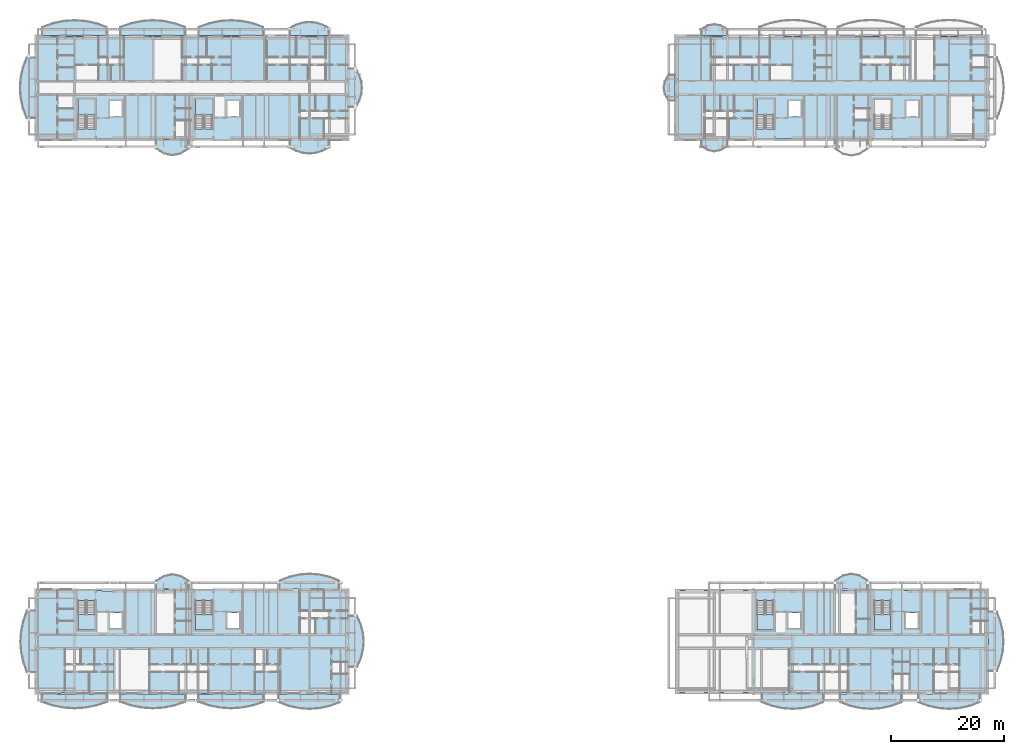
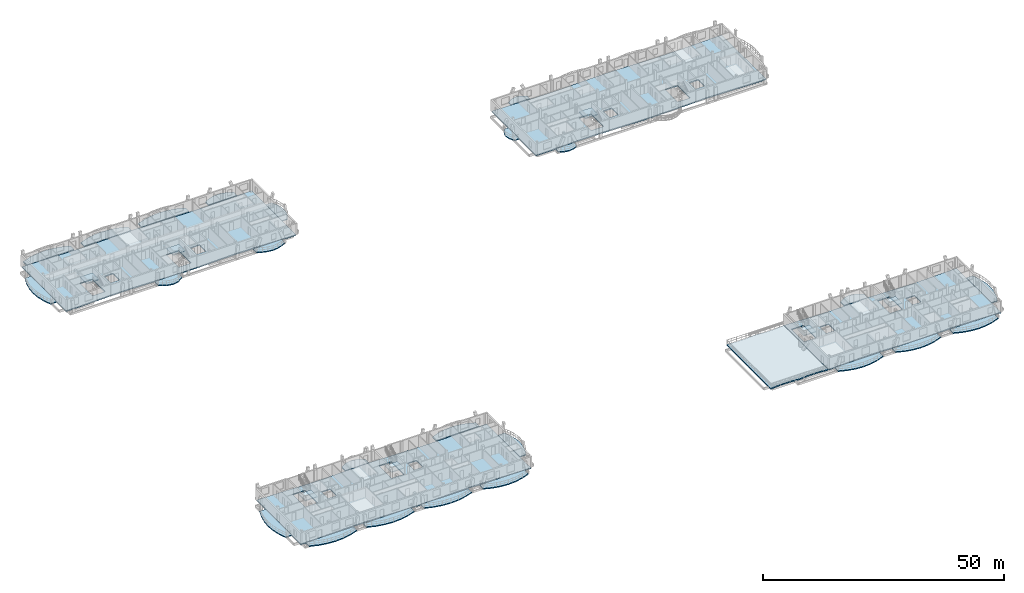
# One storey, part 8 of 48: 36 slabs, 7 elements without a shape of their own.
"""IFC4 building model written with IfcOpenShell, lengths in metres."""

from ifc_helpers import new_model, si_unit, direction, frame, origin, place, context, subcontext, project, spatial, polyline, outline, extrude, material, layer, layer_set, type_object, element, aggregate, save


model = new_model("IFC4")

# Units and contexts
model_context = context("Model", 3, precision=1e-05, world=origin(), true_north=direction((0.0, 1.0)))
body_context = subcontext(model_context, "Body", "Model", "MODEL_VIEW")
ifc_project = project(units=[si_unit("LENGTHUNIT", "METRE"), si_unit("AREAUNIT", "SQUARE_METRE"), si_unit("VOLUMEUNIT", "CUBIC_METRE"), si_unit("PLANEANGLEUNIT", "RADIAN"), si_unit("MASSUNIT", "GRAM", prefix="KILO")], contexts=[model_context])

# Site, building, storey
site_placement = place(None, origin())
site = spatial("IfcSite", under=ifc_project, at=site_placement, CompositionType="ELEMENT")
building_placement = place(site_placement, origin())
building = spatial("IfcBuilding", under=site, at=building_placement, Name="Zavelmont Quarter", CompositionType="ELEMENT")
storey_placement = place(building_placement, frame((0.0, 0.0, 17.60009765625)))
storey = spatial("IfcBuildingStorey", under=building, at=storey_placement, Name="L05", CompositionType="ELEMENT", Elevation=17.60009765625)

# Slabs
ifc_material_1 = material(Name="White architectural precast concrete C40/50", Category="concrete")
ifc_layer_1 = layer(ifc_material_1, 0.235107421875)
ifc_layer_set_1 = layer_set([ifc_layer_1], Name="White architectural precast concrete C40/50")
slab_type_1 = type_object("IfcSlabType", Name="SL-BL180", PredefinedType="FLOOR", material=ifc_layer_set_1)
slab_1_placement = place(storey_placement, frame((0.0, 0.0, -0.235107421875)))
element("IfcSlab", 1, at=slab_1_placement, inside=storey, type_object=slab_type_1, Name="L05 Block A street vase 3 balcony SL-BL180", PredefinedType="FLOOR", context=body_context, shape_type="SweptSolid", body=[
    extrude(outline(polyline([(28.77294921875, -0.02001953125), (28.77294921875, -1.4599609375), (30.681884765625, -2.09716796875), (32.591064453125, -2.4794921875), (34.5, -2.60693359375), (36.408935546875, -2.4794921875), (38.318115234375, -2.09716796875), (40.22705078125, -1.4599609375), (40.22705078125, -0.02001953125), (28.77294921875, -0.02001953125)])), origin(), (0.0, 0.0, 1.0), 0.235107421875),
])
slab_2_placement = place(storey_placement, frame((0.0, 0.0, -0.235107421875)))
element("IfcSlab", 2, at=slab_2_placement, inside=storey, type_object=slab_type_1, Name="L05 Block A courtyard return vase balcony SL-BL180", PredefinedType="FLOOR", context=body_context, shape_type="SweptSolid", body=[
    extrude(outline(polyline([(55.219970703125, 4.689453125), (56.7158203125, 4.689453125), (57.377685546875, 6.19287109375), (57.774658203125, 7.696533203125), (57.906982421875, 9.199951171875), (57.774658203125, 10.70361328125), (57.377685546875, 12.20703125), (56.7158203125, 13.710693359375), (55.219970703125, 13.710693359375), (55.219970703125, 4.689453125)])), origin(), (0.0, 0.0, 1.0), 0.235107421875),
])
slab_3_placement = place(storey_placement, frame((0.0, 0.0, -0.235107421875)))
element("IfcSlab", 3, at=slab_3_placement, inside=storey, type_object=slab_type_1, Name="L05 Block A courtyard outer vase balcony SL-BL180", PredefinedType="FLOOR", context=body_context, shape_type="SweptSolid", body=[
    extrude(outline(polyline([(53.521728515625, 18.419921875), (53.521728515625, 19.916015625), (51.781005859375, 20.57763671875), (50.04052734375, 20.974609375), (48.300048828125, 21.10693359375), (46.559326171875, 20.974609375), (44.81884765625, 20.57763671875), (43.078369140625, 19.916015625), (43.078369140625, 18.419921875), (53.521728515625, 18.419921875)])), origin(), (0.0, 0.0, 1.0), 0.235107421875),
])
slab_4_placement = place(storey_placement, frame((0.0, 0.0, -0.235107421875)))
element("IfcSlab", 4, at=slab_4_placement, inside=storey, type_object=slab_type_1, Name="L05 Block B street vase 3 balcony SL-BL180", PredefinedType="FLOOR", context=body_context, shape_type="SweptSolid", body=[
    extrude(outline(polyline([(40.190673828125, 116.02001953125), (40.190673828125, 117.507080078125), (38.293701171875, 118.164794921875), (36.39697265625, 118.559326171875), (34.5, 118.69091796875), (32.60302734375, 118.559326171875), (30.706298828125, 118.164794921875), (28.809326171875, 117.507080078125), (28.809326171875, 116.02001953125), (40.190673828125, 116.02001953125)])), origin(), (0.0, 0.0, 1.0), 0.235107421875),
])
slab_5_placement = place(storey_placement, frame((0.0, 0.0, -0.235107421875)))
element("IfcSlab", 5, at=slab_5_placement, inside=storey, type_object=slab_type_1, Name="L05 Block B courtyard return vase balcony SL-BL180", PredefinedType="FLOOR", context=body_context, shape_type="SweptSolid", body=[
    extrude(outline(polyline([(55.219970703125, 103.4130859375), (56.538330078125, 103.4130859375), (57.12255859375, 104.5419921875), (57.47314453125, 105.6708984375), (57.590087890625, 106.800048828125), (57.47314453125, 107.928955078125), (57.12255859375, 109.05810546875), (56.538330078125, 110.18701171875), (55.219970703125, 110.18701171875), (55.219970703125, 103.4130859375)])), origin(), (0.0, 0.0, 1.0), 0.235107421875),
])
slab_6_placement = place(storey_placement, frame((0.0, 0.0, -0.235107421875)))
element("IfcSlab", 6, at=slab_6_placement, inside=storey, type_object=slab_type_1, Name="L05 Block B courtyard outer vase balcony SL-BL180", PredefinedType="FLOOR", context=body_context, shape_type="SweptSolid", body=[
    extrude(outline(polyline([(44.8662109375, 97.580078125), (44.8662109375, 96.26171875), (46.010986328125, 95.677490234375), (47.155517578125, 95.326904296875), (48.300048828125, 95.2099609375), (49.444580078125, 95.326904296875), (50.589111328125, 95.677490234375), (51.733642578125, 96.26171875), (51.733642578125, 97.580078125), (44.8662109375, 97.580078125)])), origin(), (0.0, 0.0, 1.0), 0.235107421875),
])
slab_7_placement = place(storey_placement, frame((0.0, 0.0, -0.235107421875)))
element("IfcSlab", 7, at=slab_7_placement, inside=storey, type_object=slab_type_1, Name="L05 Block C courtyard return vase balcony SL-BL180", PredefinedType="FLOOR", context=body_context, shape_type="SweptSolid", body=[
    extrude(outline(polyline([(112.780029296875, 109.05859375), (111.679443359375, 109.05859375), (111.01904296875, 107.92919921875), (110.799072265625, 106.800048828125), (111.01904296875, 105.670654296875), (111.679443359375, 104.54150390625), (112.780029296875, 104.54150390625), (112.780029296875, 109.05859375)])), origin(), (0.0, 0.0, 1.0), 0.235107421875),
])
slab_8_placement = place(storey_placement, frame((0.0, 0.0, -0.235107421875)))
element("IfcSlab", 8, at=slab_8_placement, inside=storey, type_object=slab_type_1, Name="L05 Block C courtyard outer vase balcony SL-BL180", PredefinedType="FLOOR", context=body_context, shape_type="SweptSolid", body=[
    extrude(outline(polyline([(117.44140625, 97.580078125), (117.44140625, 96.4794921875), (118.57080078125, 95.819091796875), (119.699951171875, 95.59912109375), (120.829345703125, 95.819091796875), (121.95849609375, 96.4794921875), (121.95849609375, 97.580078125), (117.44140625, 97.580078125)])), origin(), (0.0, 0.0, 1.0), 0.235107421875),
])
slab_9_placement = place(storey_placement, frame((0.0, 0.0, -0.235107421875)))
element("IfcSlab", 9, at=slab_9_placement, inside=storey, type_object=slab_type_1, Name="L05 Block D street vase 3 balcony SL-BL180", PredefinedType="FLOOR", context=body_context, shape_type="SweptSolid", body=[
    extrude(outline(polyline([(141.89306640625, -0.02001953125), (141.89306640625, -1.515869140625), (143.6953125, -2.177490234375), (145.497802734375, -2.57470703125), (147.300048828125, -2.70703125), (149.102294921875, -2.57470703125), (150.90478515625, -2.177490234375), (152.70703125, -1.515869140625), (152.70703125, -0.02001953125), (141.89306640625, -0.02001953125)])), origin(), (0.0, 0.0, 1.0), 0.235107421875),
])
ifc_layer_2 = layer(ifc_material_1, 0.2451171875)
ifc_layer_set_2 = layer_set([ifc_layer_2], Name="White architectural precast concrete C40/50")
slab_type_2 = type_object("IfcSlabType", Name="SL-BL200", PredefinedType="FLOOR", material=ifc_layer_set_2)
slab_10_placement = place(storey_placement, frame((0.0, 0.0, -0.2451171875)))
element("IfcSlab", 10, at=slab_10_placement, inside=storey, type_object=slab_type_2, Name="L05 Block A street vase 2 balcony SL-BL200", PredefinedType="FLOOR", context=body_context, shape_type="SweptSolid", body=[
    extrude(outline(polyline([(14.972900390625, -0.02001953125), (14.972900390625, -1.4599609375), (16.882080078125, -2.09716796875), (18.791015625, -2.4794921875), (20.699951171875, -2.60693359375), (22.60888671875, -2.4794921875), (24.51806640625, -2.09716796875), (26.427001953125, -1.4599609375), (26.427001953125, -0.02001953125), (14.972900390625, -0.02001953125)])), origin(), (0.0, 0.0, 1.0), 0.2451171875),
])
slab_11_placement = place(storey_placement, frame((0.0, 0.0, -0.2451171875)))
element("IfcSlab", 11, at=slab_11_placement, inside=storey, type_object=slab_type_2, Name="L05 Block A boulevard vase balcony SL-BL200", PredefinedType="FLOOR", context=body_context, shape_type="SweptSolid", body=[
    extrude(outline(polyline([(-0.02001953125, 14.607177734375), (-1.4599609375, 14.607177734375), (-2.09716796875, 12.8046875), (-2.4794921875, 11.00244140625), (-2.60693359375, 9.199951171875), (-2.4794921875, 7.397705078125), (-2.09716796875, 5.59521484375), (-1.4599609375, 3.79296875), (-0.02001953125, 3.79296875), (-0.02001953125, 14.607177734375)])), origin(), (0.0, 0.0, 1.0), 0.2451171875),
])
slab_12_placement = place(storey_placement, frame((0.0, 0.0, -0.2451171875)))
element("IfcSlab", 12, at=slab_12_placement, inside=storey, type_object=slab_type_2, Name="L05 Block B street vase 2 balcony SL-BL200", PredefinedType="FLOOR", context=body_context, shape_type="SweptSolid", body=[
    extrude(outline(polyline([(26.390625, 116.02001953125), (26.390625, 117.507080078125), (24.49365234375, 118.164794921875), (22.596923828125, 118.559326171875), (20.699951171875, 118.69091796875), (18.802978515625, 118.559326171875), (16.90625, 118.164794921875), (15.009521484375, 117.507080078125), (15.009521484375, 116.02001953125), (26.390625, 116.02001953125)])), origin(), (0.0, 0.0, 1.0), 0.2451171875),
])
slab_13_placement = place(storey_placement, frame((0.0, 0.0, -0.2451171875)))
element("IfcSlab", 13, at=slab_13_placement, inside=storey, type_object=slab_type_2, Name="L05 Block B boulevard vase balcony SL-BL200", PredefinedType="FLOOR", context=body_context, shape_type="SweptSolid", body=[
    extrude(outline(polyline([(-0.02001953125, 112.12841796875), (-1.507080078125, 112.12841796875), (-2.164794921875, 110.352294921875), (-2.559326171875, 108.576171875), (-2.69091796875, 106.800048828125), (-2.559326171875, 105.02392578125), (-2.164794921875, 103.247802734375), (-1.507080078125, 101.4716796875), (-0.02001953125, 101.4716796875), (-0.02001953125, 112.12841796875)])), origin(), (0.0, 0.0, 1.0), 0.2451171875),
])
slab_14_placement = place(storey_placement, frame((0.0, 0.0, -0.2451171875)))
element("IfcSlab", 14, at=slab_14_placement, inside=storey, type_object=slab_type_2, Name="L05 Block D street vase 2 balcony SL-BL200", PredefinedType="FLOOR", context=body_context, shape_type="SweptSolid", body=[
    extrude(outline(polyline([(128.093017578125, -0.02001953125), (128.093017578125, -1.515869140625), (129.895263671875, -2.177490234375), (131.69775390625, -2.57470703125), (133.5, -2.70703125), (135.30224609375, -2.57470703125), (137.104736328125, -2.177490234375), (138.906982421875, -1.515869140625), (138.906982421875, -0.02001953125), (128.093017578125, -0.02001953125)])), origin(), (0.0, 0.0, 1.0), 0.2451171875),
])
slab_15_placement = place(storey_placement, frame((0.0, 0.0, -0.2451171875)))
element("IfcSlab", 15, at=slab_15_placement, inside=storey, type_object=slab_type_2, Name="L05 Block D boulevard vase balcony SL-BL200", PredefinedType="FLOOR", context=body_context, shape_type="SweptSolid", body=[
    extrude(outline(polyline([(168.02001953125, 3.978271484375), (169.515869140625, 3.978271484375), (170.177490234375, 5.718994140625), (170.57470703125, 7.45947265625), (170.70703125, 9.199951171875), (170.57470703125, 10.940673828125), (170.177490234375, 12.68115234375), (169.515869140625, 14.421630859375), (168.02001953125, 14.421630859375), (168.02001953125, 3.978271484375)])), origin(), (0.0, 0.0, 1.0), 0.2451171875),
])
ifc_layer_3 = layer(ifc_material_1, 0.2548828125)
ifc_layer_set_3 = layer_set([ifc_layer_3], Name="White architectural precast concrete C40/50")
slab_type_3 = type_object("IfcSlabType", Name="SL-BL220", PredefinedType="FLOOR", material=ifc_layer_set_3)
slab_16_placement = place(storey_placement, frame((0.0, 0.0, -0.255126953125)))
element("IfcSlab", 16, at=slab_16_placement, inside=storey, type_object=slab_type_3, Name="L05 Block A street vase 1 balcony SL-BL220", PredefinedType="FLOOR", context=body_context, shape_type="SweptSolid", body=[
    extrude(outline(polyline([(1.173095703125, -0.02001953125), (1.173095703125, -1.4599609375), (3.08203125, -2.09716796875), (4.990966796875, -2.4794921875), (6.89990234375, -2.60693359375), (8.80908203125, -2.4794921875), (10.718017578125, -2.09716796875), (12.626953125, -1.4599609375), (12.626953125, -0.02001953125), (1.173095703125, -0.02001953125)])), origin(), (0.0, 0.0, 1.0), 0.255126953125),
])
slab_17_placement = place(storey_placement, frame((0.0, 0.0, -0.255126953125)))
element("IfcSlab", 17, at=slab_17_placement, inside=storey, type_object=slab_type_3, Name="L05 Block A street vase 4 balcony SL-BL220", PredefinedType="FLOOR", context=body_context, shape_type="SweptSolid", body=[
    extrude(outline(polyline([(42.89306640625, -0.02001953125), (42.89306640625, -1.515869140625), (44.6953125, -2.177490234375), (46.497802734375, -2.57470703125), (48.300048828125, -2.70703125), (50.102294921875, -2.57470703125), (51.90478515625, -2.177490234375), (53.70703125, -1.515869140625), (53.70703125, -0.02001953125), (42.89306640625, -0.02001953125)])), origin(), (0.0, 0.0, 1.0), 0.255126953125),
])
slab_18_placement = place(storey_placement, frame((0.0, 0.0, -0.255126953125)))
element("IfcSlab", 18, at=slab_18_placement, inside=storey, type_object=slab_type_3, Name="L05 Block A courtyard central vase balcony SL-BL220", PredefinedType="FLOOR", context=body_context, shape_type="SweptSolid", body=[
    extrude(outline(polyline([(27.0, 18.419921875), (27.0, 19.85986328125), (25.574951171875, 20.72021484375), (24.14990234375, 21.007080078125), (22.72509765625, 20.72021484375), (21.300048828125, 19.85986328125), (21.300048828125, 18.419921875), (27.0, 18.419921875)])), origin(), (0.0, 0.0, 1.0), 0.255126953125),
])
slab_19_placement = place(storey_placement, frame((0.0, 0.0, -0.255126953125)))
element("IfcSlab", 19, at=slab_19_placement, inside=storey, type_object=slab_type_3, Name="L05 Block B street vase 1 balcony SL-BL220", PredefinedType="FLOOR", context=body_context, shape_type="SweptSolid", body=[
    extrude(outline(polyline([(12.590576171875, 116.02001953125), (12.590576171875, 117.507080078125), (10.693603515625, 118.164794921875), (8.796875, 118.559326171875), (6.89990234375, 118.69091796875), (5.003173828125, 118.559326171875), (3.106201171875, 118.164794921875), (1.20947265625, 117.507080078125), (1.20947265625, 116.02001953125), (12.590576171875, 116.02001953125)])), origin(), (0.0, 0.0, 1.0), 0.255126953125),
])
slab_20_placement = place(storey_placement, frame((0.0, 0.0, -0.255126953125)))
element("IfcSlab", 20, at=slab_20_placement, inside=storey, type_object=slab_type_3, Name="L05 Block B street vase 4 balcony SL-BL220", PredefinedType="FLOOR", context=body_context, shape_type="SweptSolid", body=[
    extrude(outline(polyline([(51.733642578125, 116.02001953125), (51.733642578125, 117.33837890625), (50.589111328125, 117.922607421875), (49.444580078125, 118.273193359375), (48.300048828125, 118.389892578125), (47.155517578125, 118.273193359375), (46.010986328125, 117.922607421875), (44.8662109375, 117.33837890625), (44.8662109375, 116.02001953125), (51.733642578125, 116.02001953125)])), origin(), (0.0, 0.0, 1.0), 0.255126953125),
])
slab_21_placement = place(storey_placement, frame((0.0, 0.0, -0.255126953125)))
element("IfcSlab", 21, at=slab_21_placement, inside=storey, type_object=slab_type_3, Name="L05 Block B courtyard central vase balcony SL-BL220", PredefinedType="FLOOR", context=body_context, shape_type="SweptSolid", body=[
    extrude(outline(polyline([(21.300048828125, 97.580078125), (21.300048828125, 96.093017578125), (22.72509765625, 95.205078125), (24.14990234375, 94.908935546875), (25.574951171875, 95.205078125), (27.0, 96.093017578125), (27.0, 97.580078125), (21.300048828125, 97.580078125)])), origin(), (0.0, 0.0, 1.0), 0.255126953125),
])
slab_22_placement = place(storey_placement, frame((0.0, 0.0, -0.255126953125)))
element("IfcSlab", 22, at=slab_22_placement, inside=storey, type_object=slab_type_3, Name="L05 Block C street vase 1 balcony SL-BL220", PredefinedType="FLOOR", context=body_context, shape_type="SweptSolid", body=[
    extrude(outline(polyline([(121.95849609375, 116.02001953125), (121.95849609375, 117.12060546875), (120.829345703125, 117.781005859375), (119.699951171875, 118.0009765625), (118.57080078125, 117.781005859375), (117.44140625, 117.12060546875), (117.44140625, 116.02001953125), (121.95849609375, 116.02001953125)])), origin(), (0.0, 0.0, 1.0), 0.255126953125),
])
slab_23_placement = place(storey_placement, frame((0.0, 0.0, -0.255126953125)))
element("IfcSlab", 23, at=slab_23_placement, inside=storey, type_object=slab_type_3, Name="L05 Block D street vase 4 balcony SL-BL220", PredefinedType="FLOOR", context=body_context, shape_type="SweptSolid", body=[
    extrude(outline(polyline([(155.693115234375, -0.02001953125), (155.693115234375, -1.515869140625), (157.495361328125, -2.177490234375), (159.297607421875, -2.57470703125), (161.10009765625, -2.70703125), (162.90234375, -2.57470703125), (164.70458984375, -2.177490234375), (166.507080078125, -1.515869140625), (166.507080078125, -0.02001953125), (155.693115234375, -0.02001953125)])), origin(), (0.0, 0.0, 1.0), 0.255126953125),
])
slab_24_placement = place(storey_placement, frame((0.0, 0.0, -0.255126953125)))
element("IfcSlab", 24, at=slab_24_placement, inside=storey, type_object=slab_type_3, Name="L05 Block D courtyard central vase balcony SL-BL220", PredefinedType="FLOOR", context=body_context, shape_type="SweptSolid", body=[
    extrude(outline(polyline([(146.699951171875, 18.419921875), (146.699951171875, 19.916015625), (145.27490234375, 20.80908203125), (143.85009765625, 21.10693359375), (142.425048828125, 20.80908203125), (141.0, 19.916015625), (141.0, 18.419921875), (146.699951171875, 18.419921875)])), origin(), (0.0, 0.0, 1.0), 0.255126953125),
])
ifc_material_2 = material(Name="Concrete C35/45", Category="concrete")
ifc_layer_4 = layer(ifc_material_2, 0.260009765625)
ifc_layer_set_4 = layer_set([ifc_layer_4], Name="Concrete C35/45")
slab_type_4 = type_object("IfcSlabType", Name="SL-FL260", PredefinedType="FLOOR", material=ifc_layer_set_4)
slab_25_placement = place(storey_placement, frame((0.0, 0.0, -0.260009765625)))
element("IfcSlab", 25, at=slab_25_placement, inside=storey, type_object=slab_type_4, Name="L05 Block A floor slab SL-FL260", PredefinedType="FLOOR", context=body_context, shape_type="SweptSolid", body=[
    extrude(outline(polyline([(0.0, 0.0), (3.449951171875, 0.041015625), (6.89990234375, 0.139892578125), (10.35009765625, 0.239013671875), (13.800048828125, 0.280029296875), (17.25, 0.239013671875), (20.699951171875, 0.139892578125), (24.14990234375, 0.041015625), (27.60009765625, 0.0), (31.050048828125, 0.041015625), (34.5, 0.139892578125), (37.949951171875, 0.239013671875), (41.39990234375, 0.280029296875), (44.85009765625, 0.239013671875), (48.300048828125, 0.139892578125), (51.75, 0.041015625), (55.199951171875, 0.0), (55.199951171875, 3.679931640625), (55.199951171875, 7.360107421875), (55.199951171875, 11.0400390625), (55.199951171875, 14.719970703125), (55.199951171875, 18.39990234375), (51.75, 18.35888671875), (48.300048828125, 18.260009765625), (44.85009765625, 18.160888671875), (41.39990234375, 18.1201171875), (37.949951171875, 18.160888671875), (34.5, 18.260009765625), (31.050048828125, 18.35888671875), (27.60009765625, 18.39990234375), (24.14990234375, 18.35888671875), (20.699951171875, 18.260009765625), (17.25, 18.160888671875), (13.800048828125, 18.1201171875), (10.35009765625, 18.160888671875), (6.89990234375, 18.260009765625), (3.449951171875, 18.35888671875), (0.0, 18.39990234375), (0.0, 14.719970703125), (0.0, 11.0400390625), (0.0, 7.360107421875), (0.0, 3.679931640625), (0.0, 0.0)]), holes=[polyline([(7.5, 16.425048828125), (7.5, 11.199951171875), (10.5, 11.199951171875), (10.5, 16.425048828125), (7.5, 16.425048828125)]), polyline([(13.14990234375, 11.5), (15.25, 11.5), (15.25, 14.25), (13.14990234375, 14.25), (13.14990234375, 11.5)]), polyline([(28.199951171875, 16.425048828125), (28.199951171875, 11.199951171875), (31.199951171875, 11.199951171875), (31.199951171875, 16.425048828125), (28.199951171875, 16.425048828125)]), polyline([(33.85009765625, 11.5), (35.949951171875, 11.5), (35.949951171875, 14.25), (33.85009765625, 14.25), (33.85009765625, 11.5)])]), origin(), (0.0, 0.0, 1.0), 0.260009765625),
])
slab_26_placement = place(storey_placement, frame((0.0, 0.0, -0.260009765625)))
element("IfcSlab", 26, at=slab_26_placement, inside=storey, type_object=slab_type_4, Name="L05 Block B floor slab SL-FL260", PredefinedType="FLOOR", context=body_context, shape_type="SweptSolid", body=[
    extrude(outline(polyline([(0.0, 97.60009765625), (3.449951171875, 97.64111328125), (6.89990234375, 97.739990234375), (10.35009765625, 97.839111328125), (13.800048828125, 97.8798828125), (17.25, 97.839111328125), (20.699951171875, 97.739990234375), (24.14990234375, 97.64111328125), (27.60009765625, 97.60009765625), (31.050048828125, 97.64111328125), (34.5, 97.739990234375), (37.949951171875, 97.839111328125), (41.39990234375, 97.8798828125), (44.85009765625, 97.839111328125), (48.300048828125, 97.739990234375), (51.75, 97.64111328125), (55.199951171875, 97.60009765625), (55.199951171875, 101.280029296875), (55.199951171875, 104.9599609375), (55.199951171875, 108.639892578125), (55.199951171875, 112.320068359375), (55.199951171875, 116.0), (51.75, 115.958984375), (48.300048828125, 115.860107421875), (44.85009765625, 115.760986328125), (41.39990234375, 115.719970703125), (37.949951171875, 115.760986328125), (34.5, 115.860107421875), (31.050048828125, 115.958984375), (27.60009765625, 116.0), (24.14990234375, 115.958984375), (20.699951171875, 115.860107421875), (17.25, 115.760986328125), (13.800048828125, 115.719970703125), (10.35009765625, 115.760986328125), (6.89990234375, 115.860107421875), (3.449951171875, 115.958984375), (0.0, 116.0), (0.0, 112.320068359375), (0.0, 108.639892578125), (0.0, 104.9599609375), (0.0, 101.280029296875), (0.0, 97.60009765625)]), holes=[polyline([(10.5, 99.574951171875), (10.5, 104.800048828125), (7.5, 104.800048828125), (7.5, 99.574951171875), (10.5, 99.574951171875)]), polyline([(13.14990234375, 101.75), (15.25, 101.75), (15.25, 104.5), (13.14990234375, 104.5), (13.14990234375, 101.75)]), polyline([(31.199951171875, 99.574951171875), (31.199951171875, 104.800048828125), (28.199951171875, 104.800048828125), (28.199951171875, 99.574951171875), (31.199951171875, 99.574951171875)]), polyline([(33.85009765625, 101.75), (35.949951171875, 101.75), (35.949951171875, 104.5), (33.85009765625, 104.5), (33.85009765625, 101.75)])]), origin(), (0.0, 0.0, 1.0), 0.260009765625),
])
slab_27_placement = place(storey_placement, frame((0.0, 0.0, -0.260009765625)))
element("IfcSlab", 27, at=slab_27_placement, inside=storey, type_object=slab_type_4, Name="L05 Block C floor slab SL-FL260", PredefinedType="FLOOR", context=body_context, shape_type="SweptSolid", body=[
    extrude(outline(polyline([(112.800048828125, 97.60009765625), (116.25, 97.64111328125), (119.699951171875, 97.739990234375), (123.14990234375, 97.839111328125), (126.60009765625, 97.8798828125), (130.050048828125, 97.839111328125), (133.5, 97.739990234375), (136.949951171875, 97.64111328125), (140.39990234375, 97.60009765625), (143.85009765625, 97.64111328125), (147.300048828125, 97.739990234375), (150.75, 97.839111328125), (154.199951171875, 97.8798828125), (157.64990234375, 97.839111328125), (161.10009765625, 97.739990234375), (164.550048828125, 97.64111328125), (168.0, 97.60009765625), (168.0, 101.280029296875), (168.0, 104.9599609375), (168.0, 108.639892578125), (168.0, 112.320068359375), (168.0, 116.0), (164.550048828125, 115.958984375), (161.10009765625, 115.860107421875), (157.64990234375, 115.760986328125), (154.199951171875, 115.719970703125), (150.75, 115.760986328125), (147.300048828125, 115.860107421875), (143.85009765625, 115.958984375), (140.39990234375, 116.0), (136.949951171875, 115.958984375), (133.5, 115.860107421875), (130.050048828125, 115.760986328125), (126.60009765625, 115.719970703125), (123.14990234375, 115.760986328125), (119.699951171875, 115.860107421875), (116.25, 115.958984375), (112.800048828125, 116.0), (112.800048828125, 112.320068359375), (112.800048828125, 108.639892578125), (112.800048828125, 104.9599609375), (112.800048828125, 101.280029296875), (112.800048828125, 97.60009765625)]), holes=[polyline([(130.199951171875, 99.574951171875), (130.199951171875, 104.800048828125), (127.199951171875, 104.800048828125), (127.199951171875, 99.574951171875), (130.199951171875, 99.574951171875)]), polyline([(132.85009765625, 101.75), (134.949951171875, 101.75), (134.949951171875, 104.5), (132.85009765625, 104.5), (132.85009765625, 101.75)]), polyline([(150.89990234375, 99.574951171875), (150.89990234375, 104.800048828125), (147.89990234375, 104.800048828125), (147.89990234375, 99.574951171875), (150.89990234375, 99.574951171875)]), polyline([(153.550048828125, 101.75), (155.64990234375, 101.75), (155.64990234375, 104.5), (153.550048828125, 104.5), (153.550048828125, 101.75)])]), origin(), (0.0, 0.0, 1.0), 0.260009765625),
])
slab_28_placement = place(storey_placement, frame((0.0, 0.0, -0.260009765625)))
element("IfcSlab", 28, at=slab_28_placement, inside=storey, type_object=slab_type_4, Name="L05 Block D floor slab SL-FL260", PredefinedType="FLOOR", context=body_context, shape_type="SweptSolid", body=[
    extrude(outline(polyline([(126.60009765625, 0.0), (130.050048828125, 0.070068359375), (133.5, 0.2099609375), (136.949951171875, 0.280029296875), (140.39990234375, 0.2099609375), (143.85009765625, 0.070068359375), (147.300048828125, 0.0), (150.75, 0.070068359375), (154.199951171875, 0.2099609375), (157.64990234375, 0.280029296875), (161.10009765625, 0.2099609375), (164.550048828125, 0.070068359375), (168.0, 0.0), (168.0, 3.679931640625), (168.0, 7.360107421875), (168.0, 11.0400390625), (168.0, 14.719970703125), (168.0, 18.39990234375), (164.550048828125, 18.330078125), (161.10009765625, 18.18994140625), (157.64990234375, 18.1201171875), (154.199951171875, 18.18994140625), (150.75, 18.330078125), (147.300048828125, 18.39990234375), (143.85009765625, 18.330078125), (140.39990234375, 18.18994140625), (136.949951171875, 18.1201171875), (133.5, 18.18994140625), (130.050048828125, 18.330078125), (126.60009765625, 18.39990234375), (126.60009765625, 14.719970703125), (126.60009765625, 11.0400390625), (126.60009765625, 7.360107421875), (126.60009765625, 3.679931640625), (126.60009765625, 0.0)]), holes=[polyline([(127.199951171875, 16.425048828125), (127.199951171875, 11.199951171875), (130.10009765625, 11.199951171875), (130.10009765625, 16.425048828125), (127.199951171875, 16.425048828125)]), polyline([(132.75, 11.5), (134.85009765625, 11.5), (134.85009765625, 14.25), (132.75, 14.25), (132.75, 11.5)]), polyline([(147.89990234375, 16.425048828125), (147.89990234375, 11.199951171875), (150.800048828125, 11.199951171875), (150.800048828125, 16.425048828125), (147.89990234375, 16.425048828125)]), polyline([(153.449951171875, 11.5), (155.550048828125, 11.5), (155.550048828125, 14.25), (153.449951171875, 14.25), (153.449951171875, 11.5)])]), origin(), (0.0, 0.0, 1.0), 0.260009765625),
])

# Stair, slab
stair_type_1 = type_object("IfcStairType", Name="STR-1400-1778", PredefinedType="HALF_TURN_STAIR", material=ifc_material_2)
stair_1_placement = place(storey_placement, origin())
stair_1 = element("IfcStair", 29, at=stair_1_placement, inside=storey, type_object=stair_type_1, Name="L05 protected stair ST01", PredefinedType="HALF_TURN_STAIR")
ifc_layer_5 = layer(ifc_material_2, 0.199951171875)
ifc_layer_set_5 = layer_set([ifc_layer_5], Name="Concrete C35/45")
slab_type_5 = type_object("IfcSlabType", Name="SL-LND200", PredefinedType="LANDING", material=ifc_layer_set_5)
slab_29_placement = place(storey_placement, frame((0.0, 0.0, 1.39990234375)))
slab_29 = element("IfcSlab", 30, at=slab_29_placement, type_object=slab_type_5, Name="ST01 landing 1", PredefinedType="LANDING", context=body_context, shape_type="SweptSolid", body=[
    extrude(outline(polyline([(7.5, 13.969970703125), (7.5, 11.199951171875), (10.5, 11.199951171875), (10.5, 13.969970703125), (7.5, 13.969970703125)])), origin(), (0.0, 0.0, 1.0), 0.199951171875),
])
aggregate(stair_1, [slab_29])

stair_2_placement = place(storey_placement, origin())
stair_2 = element("IfcStair", 31, at=stair_2_placement, inside=storey, type_object=stair_type_1, Name="L05 protected stair ST02", PredefinedType="HALF_TURN_STAIR")
slab_30_placement = place(storey_placement, frame((0.0, 0.0, 1.39990234375)))
slab_30 = element("IfcSlab", 32, at=slab_30_placement, type_object=slab_type_5, Name="ST02 landing 1", PredefinedType="LANDING", context=body_context, shape_type="SweptSolid", body=[
    extrude(outline(polyline([(28.199951171875, 13.969970703125), (28.199951171875, 11.199951171875), (31.199951171875, 11.199951171875), (31.199951171875, 13.969970703125), (28.199951171875, 13.969970703125)])), origin(), (0.0, 0.0, 1.0), 0.199951171875),
])
aggregate(stair_2, [slab_30])

stair_3_placement = place(storey_placement, origin())
stair_3 = element("IfcStair", 33, at=stair_3_placement, inside=storey, type_object=stair_type_1, Name="L05 protected stair ST03", PredefinedType="HALF_TURN_STAIR")
slab_31_placement = place(storey_placement, frame((0.0, 0.0, 1.39990234375)))
slab_31 = element("IfcSlab", 34, at=slab_31_placement, type_object=slab_type_5, Name="ST03 landing 1", PredefinedType="LANDING", context=body_context, shape_type="SweptSolid", body=[
    extrude(outline(polyline([(10.5, 102.030029296875), (10.5, 104.800048828125), (7.5, 104.800048828125), (7.5, 102.030029296875), (10.5, 102.030029296875)])), origin(), (0.0, 0.0, 1.0), 0.199951171875),
])
aggregate(stair_3, [slab_31])

stair_4_placement = place(storey_placement, origin())
stair_4 = element("IfcStair", 35, at=stair_4_placement, inside=storey, type_object=stair_type_1, Name="L05 protected stair ST04", PredefinedType="HALF_TURN_STAIR")
slab_32_placement = place(storey_placement, frame((0.0, 0.0, 1.39990234375)))
slab_32 = element("IfcSlab", 36, at=slab_32_placement, type_object=slab_type_5, Name="ST04 landing 1", PredefinedType="LANDING", context=body_context, shape_type="SweptSolid", body=[
    extrude(outline(polyline([(31.199951171875, 102.030029296875), (31.199951171875, 104.800048828125), (28.199951171875, 104.800048828125), (28.199951171875, 102.030029296875), (31.199951171875, 102.030029296875)])), origin(), (0.0, 0.0, 1.0), 0.199951171875),
])
aggregate(stair_4, [slab_32])

stair_5_placement = place(storey_placement, origin())
stair_5 = element("IfcStair", 37, at=stair_5_placement, inside=storey, type_object=stair_type_1, Name="L05 protected stair ST05", PredefinedType="HALF_TURN_STAIR")
slab_33_placement = place(storey_placement, frame((0.0, 0.0, 1.39990234375)))
slab_33 = element("IfcSlab", 38, at=slab_33_placement, type_object=slab_type_5, Name="ST05 landing 1", PredefinedType="LANDING", context=body_context, shape_type="SweptSolid", body=[
    extrude(outline(polyline([(130.199951171875, 102.030029296875), (130.199951171875, 104.800048828125), (127.199951171875, 104.800048828125), (127.199951171875, 102.030029296875), (130.199951171875, 102.030029296875)])), origin(), (0.0, 0.0, 1.0), 0.199951171875),
])
aggregate(stair_5, [slab_33])

stair_type_2 = type_object("IfcStairType", Name="STR-1350-1778", PredefinedType="HALF_TURN_STAIR", material=ifc_material_2)
stair_6_placement = place(storey_placement, origin())
stair_6 = element("IfcStair", 39, at=stair_6_placement, inside=storey, type_object=stair_type_2, Name="L05 protected stair ST07", PredefinedType="HALF_TURN_STAIR")
slab_34_placement = place(storey_placement, frame((0.0, 0.0, 1.39990234375)))
slab_34 = element("IfcSlab", 40, at=slab_34_placement, type_object=slab_type_5, Name="ST07 landing 1", PredefinedType="LANDING", context=body_context, shape_type="SweptSolid", body=[
    extrude(outline(polyline([(127.199951171875, 13.969970703125), (127.199951171875, 11.199951171875), (130.10009765625, 11.199951171875), (130.10009765625, 13.969970703125), (127.199951171875, 13.969970703125)])), origin(), (0.0, 0.0, 1.0), 0.199951171875),
])
aggregate(stair_6, [slab_34])

stair_7_placement = place(storey_placement, origin())
stair_7 = element("IfcStair", 41, at=stair_7_placement, inside=storey, type_object=stair_type_2, Name="L05 protected stair ST08", PredefinedType="HALF_TURN_STAIR")
slab_35_placement = place(storey_placement, frame((0.0, 0.0, 1.39990234375)))
slab_35 = element("IfcSlab", 42, at=slab_35_placement, type_object=slab_type_5, Name="ST08 landing 1", PredefinedType="LANDING", context=body_context, shape_type="SweptSolid", body=[
    extrude(outline(polyline([(147.89990234375, 13.969970703125), (147.89990234375, 11.199951171875), (150.800048828125, 11.199951171875), (150.800048828125, 13.969970703125), (147.89990234375, 13.969970703125)])), origin(), (0.0, 0.0, 1.0), 0.199951171875),
])
aggregate(stair_7, [slab_35])

# Slab
ifc_layer_6 = layer(ifc_material_2, 0.2900390625)
ifc_layer_set_6 = layer_set([ifc_layer_6], Name="Concrete C35/45")
slab_type_6 = type_object("IfcSlabType", Name="SL-TR290", PredefinedType="FLOOR", material=ifc_layer_set_6)
slab_36_placement = place(storey_placement, frame((0.0, 0.0, -0.2900390625)))
element("IfcSlab", 43, at=slab_36_placement, inside=storey, type_object=slab_type_6, Name="L05 Block D setback terrace roof slab SL-TR290", PredefinedType="FLOOR", context=body_context, shape_type="SweptSolid", body=[
    extrude(outline(polyline([(112.800048828125, 0.0), (115.091796875, 0.2099609375), (117.38330078125, 0.2099609375), (119.675048828125, 0.0), (121.966796875, 0.2099609375), (124.25830078125, 0.2099609375), (126.550048828125, 0.0), (126.550048828125, 3.679931640625), (126.550048828125, 7.360107421875), (126.550048828125, 11.0400390625), (126.550048828125, 14.719970703125), (126.550048828125, 18.39990234375), (124.25830078125, 18.18994140625), (121.966796875, 18.18994140625), (119.675048828125, 18.39990234375), (117.38330078125, 18.18994140625), (115.091796875, 18.18994140625), (112.800048828125, 18.39990234375), (112.800048828125, 14.719970703125), (112.800048828125, 11.0400390625), (112.800048828125, 7.360107421875), (112.800048828125, 3.679931640625), (112.800048828125, 0.0)])), origin(), (0.0, 0.0, 1.0), 0.2900390625),
])

save(model, "model.ifc")
